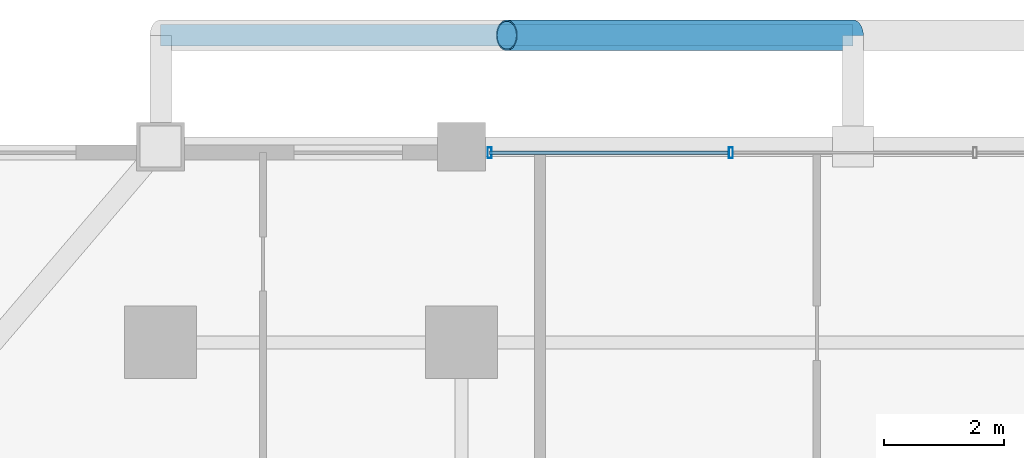
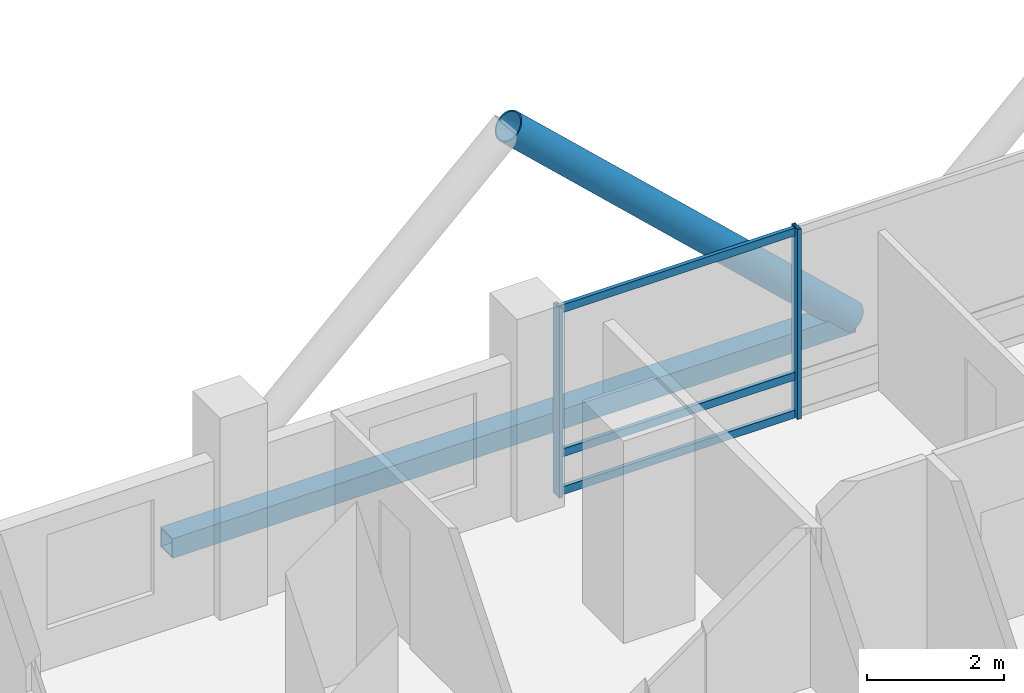
# One storey, part 14 of 24: 7 members, 1 element without a shape of its own.
"""IFC4 building model written with IfcOpenShell, lengths in metres."""

from ifc_helpers import new_model, si_unit, direction, frame, origin, origin_2d, place, context, subcontext, project, spatial, hollow_rectangle, hollow_circle, extrude, material, layer, layer_set, material_profile, profile_set, type_object, element, aggregate, save


model = new_model("IFC4")

# Units and contexts
model_context = context("Model", 3, precision=1e-05, world=origin(), true_north=direction((0.0, 1.0)))
body_context = subcontext(model_context, "Body", "Model", "MODEL_VIEW")
ifc_project = project(units=[si_unit("LENGTHUNIT", "METRE"), si_unit("AREAUNIT", "SQUARE_METRE"), si_unit("VOLUMEUNIT", "CUBIC_METRE"), si_unit("PLANEANGLEUNIT", "RADIAN"), si_unit("MASSUNIT", "GRAM", prefix="KILO")], contexts=[model_context])

# Site, building, storey
site_placement = place(None, origin())
site = spatial("IfcSite", under=ifc_project, at=site_placement, CompositionType="ELEMENT")
building_placement = place(site_placement, origin())
building = spatial("IfcBuilding", under=site, at=building_placement, Name="Barlavira Tower and Art Museum", CompositionType="ELEMENT")
storey_placement = place(building_placement, frame((0.0, 0.0, 109.800048828125)))
storey = spatial("IfcBuildingStorey", under=building, at=storey_placement, Name="L27", CompositionType="ELEMENT", Elevation=109.800048828125)

# Curtain wall, members
ifc_material_1 = material(Name="Low-iron coastal laminated glass", Category="glass")
ifc_layer = layer(ifc_material_1, 0.18994140625, Name="Low-iron coastal laminated glass")
ifc_layer_set = layer_set([ifc_layer], Name="Low-iron coastal laminated glass")
curtain_wall_type = type_object("IfcCurtainWallType", Name="Pale-Metal Unitised Curtain Wall Zone 2", PredefinedType="NOTDEFINED", material=ifc_layer_set)
curtain_wall_placement = place(storey_placement, origin())
curtain_wall = element("IfcCurtainWall", 1, at=curtain_wall_placement, inside=storey, type_object=curtain_wall_type, Name="L27 Curtain Wall CW2-L27-N-B3", PredefinedType="NOTDEFINED")
ifc_material_2 = material(Name="Pale anodised aluminium", Category="aluminium")
ifc_material_profile_1 = material_profile(ifc_material_2, hollow_rectangle(XDim=0.06494140625, YDim=0.179931640625, WallThickness=0.00390625, at=origin_2d()), Name="ALU-MULL 65x180x4")
ifc_profile_set_1 = profile_set([ifc_material_profile_1], Name="Pale anodised aluminium")
member_type_1 = type_object("IfcMemberType", Name="Curtain Wall Pale-Metal Mullion 65x180", PredefinedType="MULLION", material=ifc_profile_set_1)
member_1_placement = place(storey_placement, frame((-2.026611328125, 23.14990234375, 0.0), z_axis=(0.0, 0.0, 1.0), x_axis=(-1.0, 0.0, 0.0)))
member_1 = element("IfcMember", 2, at=member_1_placement, type_object=member_type_1, Name="CW2-L27-N-B3 Mullion 2", PredefinedType="MULLION", context=body_context, shape_type="SweptSolid", body=[
    extrude(hollow_rectangle(XDim=0.06494140625, YDim=0.179931640625, WallThickness=0.00390625, at=origin_2d()), origin(), (0.0, 0.0, 1.0), 3.3798828125),
])
member_2_placement = place(storey_placement, frame((-6.034912109375, 23.14990234375, 0.0), z_axis=(0.0, 0.0, 1.0), x_axis=(-1.0, 0.0, 0.0)))
member_2 = element("IfcMember", 3, at=member_2_placement, type_object=member_type_1, Name="CW2-L27-N-B3 Mullion 3", PredefinedType="MULLION", context=body_context, shape_type="SweptSolid", body=[
    extrude(hollow_rectangle(XDim=0.06494140625, YDim=0.179931640625, WallThickness=0.00390625, at=origin_2d()), origin(), (0.0, 0.0, 1.0), 3.3798828125),
])
ifc_material_profile_2 = material_profile(ifc_material_2, hollow_rectangle(XDim=0.06494140625, YDim=0.139892578125, WallThickness=0.00390625, at=origin_2d()), Name="ALU-TRAN 65x140x4")
ifc_profile_set_2 = profile_set([ifc_material_profile_2], Name="Pale anodised aluminium")
member_type_2 = type_object("IfcMemberType", Name="Curtain Wall Pale-Metal Transom 65x140", PredefinedType="USERDEFINED", material=ifc_profile_set_2)
member_3_placement = place(storey_placement, frame((-2.07177734375, 23.14990234375, 0.070068359375), z_axis=(-1.0, 0.0, 0.0), x_axis=(0.0, -1.0, 0.0)))
member_3 = element("IfcMember", 4, at=member_3_placement, type_object=member_type_2, Name="CW2-L27-N-B3 Transom 2.1", ObjectType="TRANSOM", PredefinedType="USERDEFINED", context=body_context, shape_type="SweptSolid", body=[
    extrude(hollow_rectangle(XDim=0.06494140625, YDim=0.139892578125, WallThickness=0.00390625, at=origin_2d()), origin(), (0.0, 0.0, 1.0), 3.963134765625),
])
member_4_placement = place(storey_placement, frame((-2.07177734375, 23.14990234375, 0.743896484375), z_axis=(-1.0, 0.0, 0.0), x_axis=(0.0, -1.0, 0.0)))
member_4 = element("IfcMember", 5, at=member_4_placement, type_object=member_type_2, Name="CW2-L27-N-B3 Transom 2.2", ObjectType="TRANSOM", PredefinedType="USERDEFINED", context=body_context, shape_type="SweptSolid", body=[
    extrude(hollow_rectangle(XDim=0.06494140625, YDim=0.139892578125, WallThickness=0.00390625, at=origin_2d()), origin(), (0.0, 0.0, 1.0), 3.963134765625),
])
member_5_placement = place(storey_placement, frame((-2.07177734375, 23.14990234375, 3.31005859375), z_axis=(-1.0, 0.0, 0.0), x_axis=(0.0, -1.0, 0.0)))
member_5 = element("IfcMember", 6, at=member_5_placement, type_object=member_type_2, Name="CW2-L27-N-B3 Transom 2.3", ObjectType="TRANSOM", PredefinedType="USERDEFINED", context=body_context, shape_type="SweptSolid", body=[
    extrude(hollow_rectangle(XDim=0.06494140625, YDim=0.139892578125, WallThickness=0.00390625, at=origin_2d()), origin(), (0.0, 0.0, 1.0), 3.963134765625),
])
aggregate(curtain_wall, [member_1, member_2, member_3, member_4, member_5])

# Members
ifc_material_3 = material(Name="Steel S355", Category="steel")
ifc_material_profile_3 = material_profile(ifc_material_3, hollow_circle(Radius=0.25390625, WallThickness=0.022216796875, at=origin_2d()), Name="CHS 508.0x22.2")
ifc_profile_set_3 = profile_set([ifc_material_profile_3], Name="Steel S355")
member_type_3 = type_object("IfcMemberType", Name="Pale-Metal Exoskeleton Diagrid Tube CHS 508x22 Steel S355", PredefinedType="BRACE", material=ifc_profile_set_3)
member_6_placement = place(storey_placement, frame((0.0, 25.10009765625, -0.1201171875), z_axis=(-0.728934650808, 0.0, 0.684583285548), x_axis=(0.0, -1.0, 0.0)))
element("IfcMember", 7, at=member_6_placement, inside=storey, type_object=member_type_3, Name="L27 Exoskeleton Diagrid Tube N", PredefinedType="BRACE", context=body_context, shape_type="SweptSolid", body=[
    extrude(hollow_circle(Radius=0.25390625, WallThickness=0.022216796875, at=origin_2d()), origin(), (0.0, 0.0, 1.0), 7.88818359375),
])
ifc_material_profile_4 = material_profile(ifc_material_3, hollow_rectangle(XDim=0.35009765625, YDim=0.35009765625, WallThickness=0.02001953125, at=origin_2d()), Name="SHS 350x350x20.0")
ifc_profile_set_4 = profile_set([ifc_material_profile_4], Name="Steel S355")
member_type_4 = type_object("IfcMemberType", Name="Pale-Metal Exoskeleton Ring Strut SHS 350x350x20 Steel S355", PredefinedType="STRUT", material=ifc_profile_set_4)
member_7_placement = place(storey_placement, frame((-11.5, 25.10009765625, -0.1201171875), z_axis=(1.0, 0.0, 0.0), x_axis=(0.0, 1.0, 0.0)))
element("IfcMember", 8, at=member_7_placement, inside=storey, type_object=member_type_4, Name="L27 Exoskeleton Ring Strut N", PredefinedType="STRUT", context=body_context, shape_type="SweptSolid", body=[
    extrude(hollow_rectangle(XDim=0.35009765625, YDim=0.35009765625, WallThickness=0.02001953125, at=origin_2d()), origin(), (0.0, 0.0, 1.0), 11.5),
])

save(model, "model.ifc")
